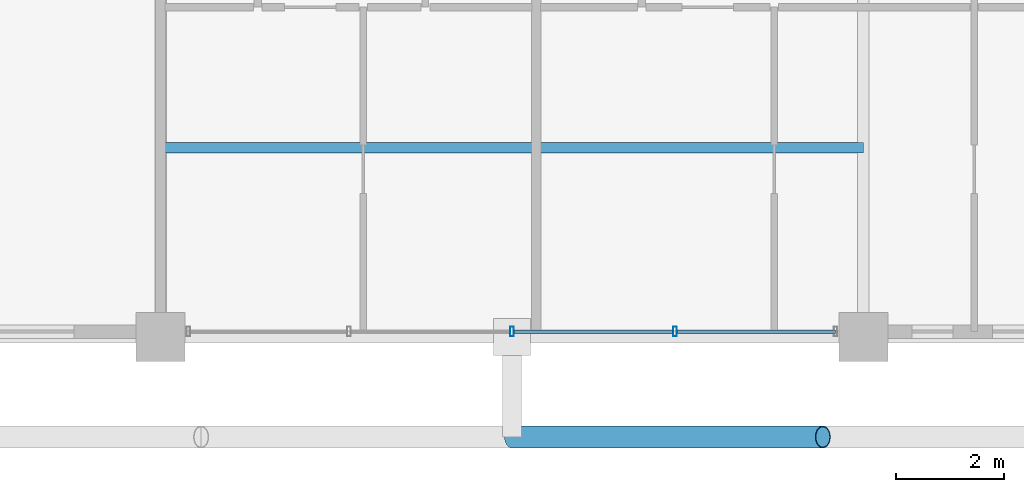
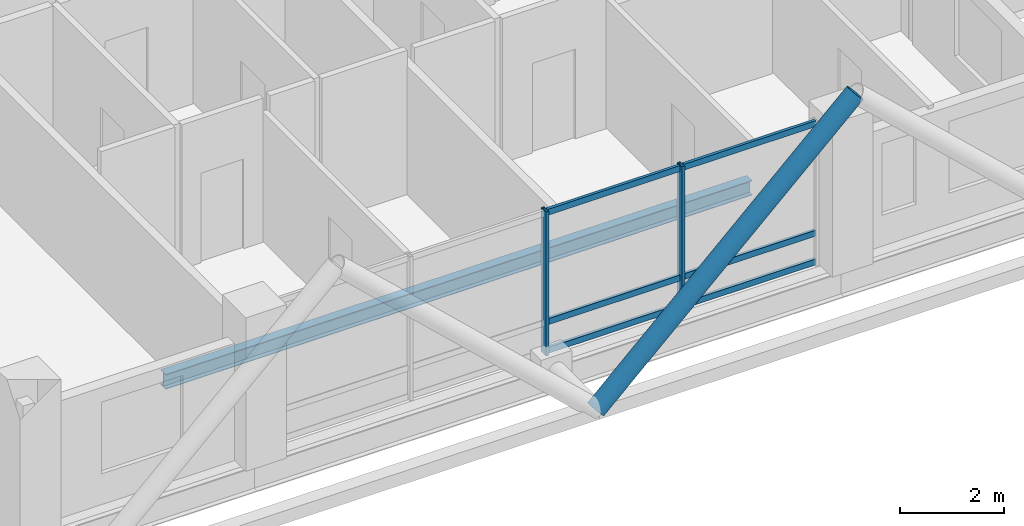
# One storey, part 5 of 25: 9 members, 1 beam, 1 element without a shape of its own.
"""IFC4 building model written with IfcOpenShell, lengths in metres."""

from ifc_helpers import new_model, si_unit, direction, frame, origin, origin_2d, place, context, subcontext, project, spatial, hollow_rectangle, hollow_circle, i_section, extrude, material, layer, layer_set, material_profile, profile_set, type_object, element, aggregate, save


model = new_model("IFC4")

# Units and contexts
model_context = context("Model", 3, precision=1e-05, world=origin(), true_north=direction((0.0, 1.0)))
body_context = subcontext(model_context, "Body", "Model", "MODEL_VIEW")
ifc_project = project(units=[si_unit("LENGTHUNIT", "METRE"), si_unit("AREAUNIT", "SQUARE_METRE"), si_unit("VOLUMEUNIT", "CUBIC_METRE"), si_unit("PLANEANGLEUNIT", "RADIAN"), si_unit("MASSUNIT", "GRAM", prefix="KILO")], contexts=[model_context])

# Site, building, storey
site_placement = place(None, origin())
site = spatial("IfcSite", under=ifc_project, at=site_placement, CompositionType="ELEMENT")
building_placement = place(site_placement, origin())
building = spatial("IfcBuilding", under=site, at=building_placement, Name="Barlavira Tower and Art Museum", CompositionType="ELEMENT")
storey_placement = place(building_placement, frame((0.0, 0.0, 229.5)))
storey = spatial("IfcBuildingStorey", under=building, at=storey_placement, Name="L59", CompositionType="ELEMENT", Elevation=229.5)

# Curtain wall, members
ifc_material_1 = material(Name="Low-iron coastal laminated glass", Category="glass")
ifc_layer = layer(ifc_material_1, 0.2099609375, Name="Low-iron coastal laminated glass")
ifc_layer_set = layer_set([ifc_layer], Name="Low-iron coastal laminated glass")
curtain_wall_type = type_object("IfcCurtainWallType", Name="Pale-Metal Unitised Curtain Wall Zone 4", PredefinedType="NOTDEFINED", material=ifc_layer_set)
curtain_wall_placement = place(storey_placement, origin())
curtain_wall = element("IfcCurtainWall", 1, at=curtain_wall_placement, inside=storey, type_object=curtain_wall_type, Name="L59 Curtain Wall CW4-L59-S-B2", PredefinedType="NOTDEFINED")
ifc_material_2 = material(Name="Pale anodised aluminium", Category="aluminium")
ifc_material_profile_1 = material_profile(ifc_material_2, hollow_rectangle(XDim=0.06494140625, YDim=0.179931640625, WallThickness=0.00390625, at=origin_2d()), Name="ALU-MULL 65x180x4")
ifc_profile_set_1 = profile_set([ifc_material_profile_1], Name="Pale anodised aluminium")
member_type_1 = type_object("IfcMemberType", Name="Curtain Wall Pale-Metal Mullion 65x180", PredefinedType="MULLION", material=ifc_profile_set_1)
member_1_placement = place(storey_placement, frame((0.0, -19.89990234375, 0.0), z_axis=(0.0, 0.0, 1.0), x_axis=(1.0, 0.0, 0.0)))
member_1 = element("IfcMember", 2, at=member_1_placement, type_object=member_type_1, Name="CW4-L59-S-B2 Mullion 2", PredefinedType="MULLION", context=body_context, shape_type="SweptSolid", body=[
    extrude(hollow_rectangle(XDim=0.06494140625, YDim=0.179931640625, WallThickness=0.00390625, at=origin_2d()), origin(), (0.0, 0.0, 1.0), 3.3798828125),
])
member_2_placement = place(storey_placement, frame((3.014892578125, -19.89990234375, 0.0), z_axis=(0.0, 0.0, 1.0), x_axis=(1.0, 0.0, 0.0)))
member_2 = element("IfcMember", 3, at=member_2_placement, type_object=member_type_1, Name="CW4-L59-S-B2 Mullion 3", PredefinedType="MULLION", context=body_context, shape_type="SweptSolid", body=[
    extrude(hollow_rectangle(XDim=0.06494140625, YDim=0.179931640625, WallThickness=0.00390625, at=origin_2d()), origin(), (0.0, 0.0, 1.0), 3.3798828125),
])
ifc_material_profile_2 = material_profile(ifc_material_2, hollow_rectangle(XDim=0.06494140625, YDim=0.139892578125, WallThickness=0.00390625, at=origin_2d()), Name="ALU-TRAN 65x140x4")
ifc_profile_set_2 = profile_set([ifc_material_profile_2], Name="Pale anodised aluminium")
member_type_2 = type_object("IfcMemberType", Name="Curtain Wall Pale-Metal Transom 65x140", PredefinedType="USERDEFINED", material=ifc_profile_set_2)
member_3_placement = place(storey_placement, frame((0.044921875, -19.89990234375, 0.070068359375), z_axis=(1.0, 0.0, 0.0), x_axis=(0.0, 1.0, 0.0)))
member_3 = element("IfcMember", 4, at=member_3_placement, type_object=member_type_2, Name="CW4-L59-S-B2 Transom 2.1", ObjectType="TRANSOM", PredefinedType="USERDEFINED", context=body_context, shape_type="SweptSolid", body=[
    extrude(hollow_rectangle(XDim=0.06494140625, YDim=0.139892578125, WallThickness=0.00390625, at=origin_2d()), origin(), (0.0, 0.0, 1.0), 2.925048828125),
])
member_4_placement = place(storey_placement, frame((0.044921875, -19.89990234375, 0.743896484375), z_axis=(1.0, 0.0, 0.0), x_axis=(0.0, 1.0, 0.0)))
member_4 = element("IfcMember", 5, at=member_4_placement, type_object=member_type_2, Name="CW4-L59-S-B2 Transom 2.2", ObjectType="TRANSOM", PredefinedType="USERDEFINED", context=body_context, shape_type="SweptSolid", body=[
    extrude(hollow_rectangle(XDim=0.06494140625, YDim=0.139892578125, WallThickness=0.00390625, at=origin_2d()), origin(), (0.0, 0.0, 1.0), 2.925048828125),
])
member_5_placement = place(storey_placement, frame((0.044921875, -19.89990234375, 3.31005859375), z_axis=(1.0, 0.0, 0.0), x_axis=(0.0, 1.0, 0.0)))
member_5 = element("IfcMember", 6, at=member_5_placement, type_object=member_type_2, Name="CW4-L59-S-B2 Transom 2.3", ObjectType="TRANSOM", PredefinedType="USERDEFINED", context=body_context, shape_type="SweptSolid", body=[
    extrude(hollow_rectangle(XDim=0.06494140625, YDim=0.139892578125, WallThickness=0.00390625, at=origin_2d()), origin(), (0.0, 0.0, 1.0), 2.925048828125),
])
member_6_placement = place(storey_placement, frame((3.06005859375, -19.89990234375, 0.070068359375), z_axis=(1.0, 0.0, 0.0), x_axis=(0.0, 1.0, 0.0)))
member_6 = element("IfcMember", 7, at=member_6_placement, type_object=member_type_2, Name="CW4-L59-S-B2 Transom 3.1", ObjectType="TRANSOM", PredefinedType="USERDEFINED", context=body_context, shape_type="SweptSolid", body=[
    extrude(hollow_rectangle(XDim=0.06494140625, YDim=0.139892578125, WallThickness=0.00390625, at=origin_2d()), origin(), (0.0, 0.0, 1.0), 2.925048828125),
])
member_7_placement = place(storey_placement, frame((3.06005859375, -19.89990234375, 0.743896484375), z_axis=(1.0, 0.0, 0.0), x_axis=(0.0, 1.0, 0.0)))
member_7 = element("IfcMember", 8, at=member_7_placement, type_object=member_type_2, Name="CW4-L59-S-B2 Transom 3.2", ObjectType="TRANSOM", PredefinedType="USERDEFINED", context=body_context, shape_type="SweptSolid", body=[
    extrude(hollow_rectangle(XDim=0.06494140625, YDim=0.139892578125, WallThickness=0.00390625, at=origin_2d()), origin(), (0.0, 0.0, 1.0), 2.925048828125),
])
member_8_placement = place(storey_placement, frame((3.06005859375, -19.89990234375, 3.31005859375), z_axis=(1.0, 0.0, 0.0), x_axis=(0.0, 1.0, 0.0)))
member_8 = element("IfcMember", 9, at=member_8_placement, type_object=member_type_2, Name="CW4-L59-S-B2 Transom 3.3", ObjectType="TRANSOM", PredefinedType="USERDEFINED", context=body_context, shape_type="SweptSolid", body=[
    extrude(hollow_rectangle(XDim=0.06494140625, YDim=0.139892578125, WallThickness=0.00390625, at=origin_2d()), origin(), (0.0, 0.0, 1.0), 2.925048828125),
])
aggregate(curtain_wall, [member_1, member_2, member_3, member_4, member_5, member_6, member_7, member_8])

# Member
ifc_material_3 = material(Name="Steel S355", Category="steel")
ifc_material_profile_3 = material_profile(ifc_material_3, hollow_circle(Radius=0.203125, WallThickness=0.01611328125, at=origin_2d()), Name="CHS 406.4x16.0")
ifc_profile_set_3 = profile_set([ifc_material_profile_3], Name="Steel S355")
member_type_3 = type_object("IfcMemberType", Name="Pale-Metal Exoskeleton Diagrid Tube CHS 406x16 Steel S355", PredefinedType="BRACE", material=ifc_profile_set_3)
member_9_placement = place(storey_placement, frame((0.0, -21.85009765625, -0.1201171875), z_axis=(0.728934650808, 0.0, 0.684583285548), x_axis=(0.0, 1.0, 0.0)))
element("IfcMember", 10, at=member_9_placement, inside=storey, type_object=member_type_3, Name="L59 Exoskeleton Diagrid Tube S", PredefinedType="BRACE", context=body_context, shape_type="SweptSolid", body=[
    extrude(hollow_circle(Radius=0.203125, WallThickness=0.01611328125, at=origin_2d()), origin(), (0.0, 0.0, 1.0), 7.88818359375),
])

# Beam
ifc_material_profile_4 = material_profile(ifc_material_3, i_section(OverallWidth=0.202880859375, OverallDepth=0.346923828125, WebThickness=0.0078125, FlangeThickness=0.013427734375, at=origin_2d()), Name="W360x64.0")
ifc_profile_set_4 = profile_set([ifc_material_profile_4], Name="Steel S355")
beam_type = type_object("IfcBeamType", Name="Zone 4 Composite Floor Joist W360x64 Steel S355", PredefinedType="JOIST", material=ifc_profile_set_4)
beam_placement = place(storey_placement, frame((-6.5, -16.5, -0.3935546875), z_axis=(1.0, 0.0, 0.0), x_axis=(0.0, 1.0, 0.0)))
element("IfcBeam", 11, at=beam_placement, inside=storey, type_object=beam_type, Name="L59 Joist C1", PredefinedType="JOIST", context=body_context, shape_type="SweptSolid", body=[
    extrude(i_section(OverallWidth=0.202880859375, OverallDepth=0.346923828125, WebThickness=0.0078125, FlangeThickness=0.013427734375, at=origin_2d()), origin(), (0.0, 0.0, 1.0), 13.0),
])

save(model, "model.ifc")
